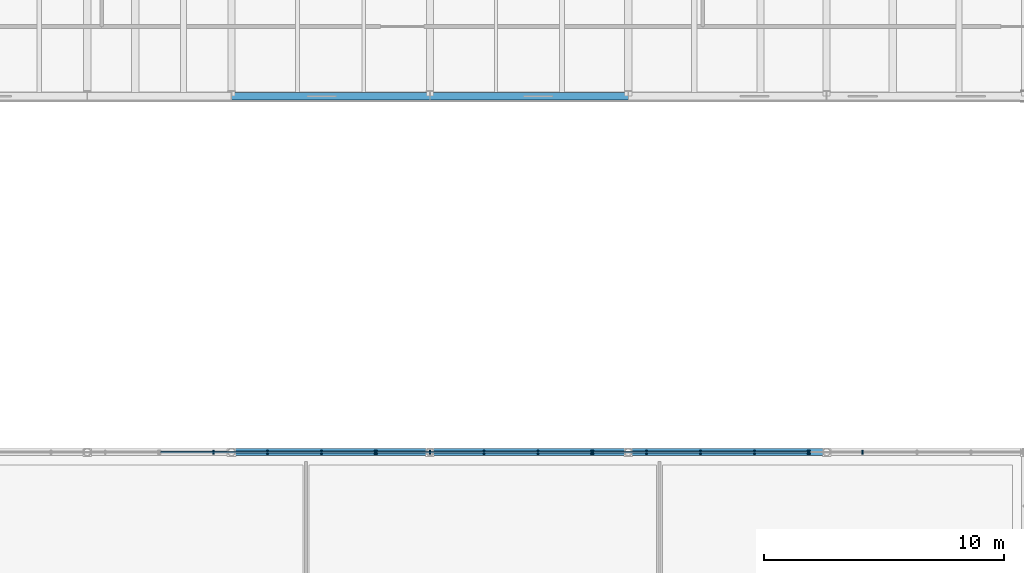
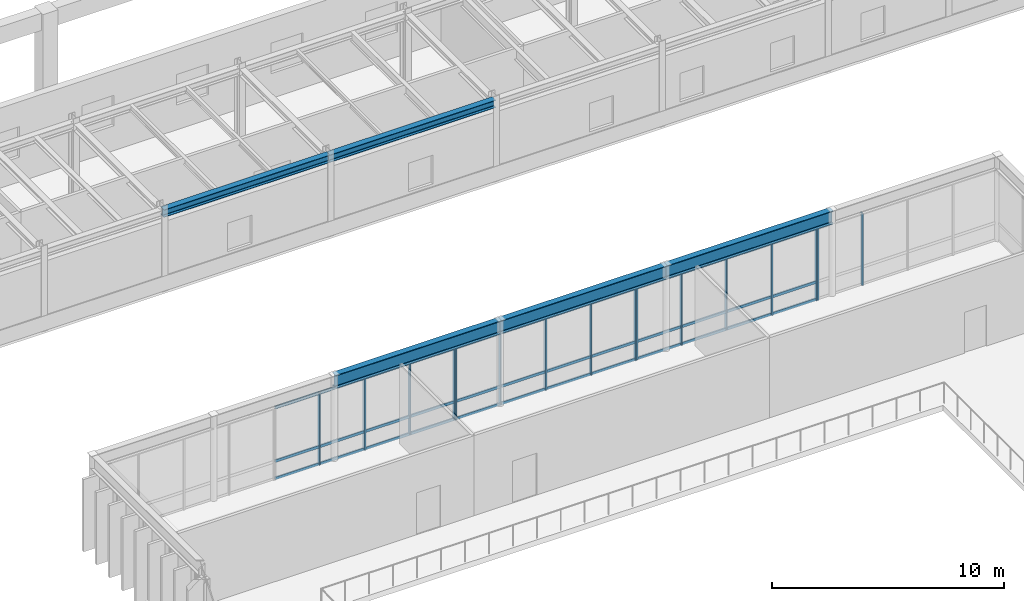
# One storey, part 28 of 64: 25 members, 5 beams, 4 elements without a shape of their own.
"""IFC4 building model written with IfcOpenShell, lengths in metres."""

from ifc_helpers import new_model, si_unit, direction, frame, origin, origin_2d, place, context, subcontext, project, spatial, rectangle, i_section, extrude, material, layer, layer_set, material_profile, profile_set, type_object, element, aggregate, save


model = new_model("IFC4")

# Units and contexts
model_context = context("Model", 3, precision=1e-05, world=origin(), true_north=direction((0.0, 1.0)))
body_context = subcontext(model_context, "Body", "Model", "MODEL_VIEW")
ifc_project = project(units=[si_unit("LENGTHUNIT", "METRE"), si_unit("AREAUNIT", "SQUARE_METRE"), si_unit("VOLUMEUNIT", "CUBIC_METRE"), si_unit("PLANEANGLEUNIT", "RADIAN"), si_unit("MASSUNIT", "GRAM", prefix="KILO")], contexts=[model_context])

# Site, building, storey
site_placement = place(None, origin())
site = spatial("IfcSite", under=ifc_project, at=site_placement, CompositionType="ELEMENT")
building_placement = place(site_placement, origin())
building = spatial("IfcBuilding", under=site, at=building_placement, Name="Montealbar Specialist Clinic", CompositionType="ELEMENT")
storey_placement = place(building_placement, frame((0.0, 0.0, 5.10009765625)))
storey = spatial("IfcBuildingStorey", under=building, at=storey_placement, Name="L01", CompositionType="ELEMENT", Elevation=5.10009765625)

# Beams
ifc_material_1 = material(Name="Steel S355", Category="steel")
ifc_material_profile_1 = material_profile(ifc_material_1, i_section(OverallWidth=0.300048828125, OverallDepth=0.39990234375, WebThickness=0.013427734375, FlangeThickness=0.02392578125, FilletRadius=0.027099609375, at=origin_2d()), Name="HEB 400", Category="steel")
ifc_profile_set_1 = profile_set([ifc_material_profile_1], Name="Steel S355")
beam_type_1 = type_object("IfcBeamType", Name="BM-GIRD-HEB400-EXT", PredefinedType="BEAM", material=ifc_profile_set_1)
for number, where, z_axis, x_axis, name in (
    (1, (66.0, 95.800048828125, 4.02978515625), (1.0, 0.0, 0.0), (0.0, 1.0, 0.0), "Beam GX-L01-660-742-958"),
    (2, (74.25, 95.800048828125, 4.02978515625), (1.0, 0.0, 0.0), (0.0, 1.0, 0.0), "Beam GX-L01-742-825-958"),
):
    element("IfcBeam", number, at=place(storey_placement, frame(where, z_axis=z_axis, x_axis=x_axis)), inside=storey, type_object=beam_type_1, Name=name, PredefinedType="BEAM", context=body_context, shape_type="SweptSolid", body=[
        extrude(i_section(OverallWidth=0.300048828125, OverallDepth=0.39990234375, WebThickness=0.013427734375, FlangeThickness=0.02392578125, FilletRadius=0.027099609375, at=origin_2d()), origin(), (0.0, 0.0, 1.0), 8.25),
    ])
ifc_material_profile_2 = material_profile(ifc_material_1, i_section(OverallWidth=0.300048828125, OverallDepth=0.699951171875, WebThickness=0.01708984375, FlangeThickness=0.031982421875, FilletRadius=0.027099609375, at=origin_2d()), Name="HEB 700", Category="steel")
ifc_profile_set_2 = profile_set([ifc_material_profile_2], Name="Steel S355")
beam_type_2 = type_object("IfcBeamType", Name="BM-RING-HEB700-EXT", PredefinedType="BEAM", material=ifc_profile_set_2)
for number, where, z_axis, x_axis, name in (
    (3, (66.0, 81.0, 4.14990234375), (1.0, 0.0, 0.0), (0.0, 1.0, 0.0), "Gridshell perimeter ring beam RB-01 X 66.0-74.2"),
    (4, (74.25, 81.0, 4.14990234375), (1.0, 0.0, 0.0), (0.0, 1.0, 0.0), "Gridshell perimeter ring beam RB-01 X 74.2-82.5"),
    (5, (82.5, 81.0, 4.14990234375), (1.0, 0.0, 0.0), (0.0, 1.0, 0.0), "Gridshell perimeter ring beam RB-01 X 82.5-90.8"),
):
    element("IfcBeam", number, at=place(storey_placement, frame(where, z_axis=z_axis, x_axis=x_axis)), inside=storey, type_object=beam_type_2, Name=name, PredefinedType="BEAM", context=body_context, shape_type="SweptSolid", body=[
        extrude(i_section(OverallWidth=0.300048828125, OverallDepth=0.699951171875, WebThickness=0.01708984375, FlangeThickness=0.031982421875, FilletRadius=0.027099609375, at=origin_2d()), origin(), (0.0, 0.0, 1.0), 8.25),
    ])

# Curtain wall, members
ifc_material_2 = material(Name="Low-E double glazing", Category="glass")
ifc_layer = layer(ifc_material_2, 0.199951171875, Name="Low-E double glazing", Category="glass")
ifc_layer_set = layer_set([ifc_layer], Name="Low-E double glazing")
curtain_wall_type = type_object("IfcCurtainWallType", Name="CW-TYPE-08", PredefinedType="NOTDEFINED", material=ifc_layer_set)
curtain_wall_1_placement = place(storey_placement, origin())
curtain_wall_1 = element("IfcCurtainWall", 6, at=curtain_wall_1_placement, inside=storey, type_object=curtain_wall_type, Name="Unitised Curtain Wall CW-L01-630-810-720-810-51", PredefinedType="NOTDEFINED")
ifc_material_3 = material(Name="Anodised aluminium EN AW-6063", Category="aluminium")
ifc_material_profile_3 = material_profile(ifc_material_3, rectangle(XDim=0.06005859375, YDim=0.159912109375, at=origin_2d()), Name="ALU 60x160", Category="aluminium")
ifc_profile_set_3 = profile_set([ifc_material_profile_3], Name="Anodised aluminium EN AW-6063")
member_type_1 = type_object("IfcMemberType", Name="CW-MUL-160", PredefinedType="MULLION", material=ifc_profile_set_3)
member_1_placement = place(storey_placement, frame((65.25, 81.0, 0.0), z_axis=(0.0, 0.0, 1.0), x_axis=(1.0, 0.0, 0.0)))
member_1 = element("IfcMember", 7, at=member_1_placement, type_object=member_type_1, Name="Curtain Wall Mullion CW-L01-630-810-720-810-51-01", PredefinedType="MULLION", context=body_context, shape_type="SweptSolid", body=[
    extrude(rectangle(XDim=0.06005859375, YDim=0.159912109375, at=origin_2d()), origin(), (0.0, 0.0, 1.0), 3.7998046875),
])
member_2_placement = place(storey_placement, frame((67.5, 81.0, 0.0), z_axis=(0.0, 0.0, 1.0), x_axis=(1.0, 0.0, 0.0)))
member_2 = element("IfcMember", 8, at=member_2_placement, type_object=member_type_1, Name="Curtain Wall Mullion CW-L01-630-810-720-810-51-02", PredefinedType="MULLION", context=body_context, shape_type="SweptSolid", body=[
    extrude(rectangle(XDim=0.06005859375, YDim=0.159912109375, at=origin_2d()), origin(), (0.0, 0.0, 1.0), 3.7998046875),
])
member_3_placement = place(storey_placement, frame((69.75, 81.0, 0.0), z_axis=(0.0, 0.0, 1.0), x_axis=(1.0, 0.0, 0.0)))
member_3 = element("IfcMember", 9, at=member_3_placement, type_object=member_type_1, Name="Curtain Wall Mullion CW-L01-630-810-720-810-51-03", PredefinedType="MULLION", context=body_context, shape_type="SweptSolid", body=[
    extrude(rectangle(XDim=0.06005859375, YDim=0.159912109375, at=origin_2d()), origin(), (0.0, 0.0, 1.0), 3.7998046875),
])
member_4_placement = place(storey_placement, frame((71.965087890625, 81.0, 0.0), z_axis=(0.0, 0.0, 1.0), x_axis=(1.0, 0.0, 0.0)))
member_4 = element("IfcMember", 10, at=member_4_placement, type_object=member_type_1, Name="Curtain Wall Mullion CW-L01-630-810-720-810-51-04", PredefinedType="MULLION", context=body_context, shape_type="SweptSolid", body=[
    extrude(rectangle(XDim=0.06005859375, YDim=0.159912109375, at=origin_2d()), origin(), (0.0, 0.0, 1.0), 3.7998046875),
])

curtain_wall_2_placement = place(storey_placement, origin())
curtain_wall_2 = element("IfcCurtainWall", 11, at=curtain_wall_2_placement, inside=storey, type_object=curtain_wall_type, Name="Unitised Curtain Wall CW-L01-720-810-810-810-51", PredefinedType="NOTDEFINED")
member_5_placement = place(storey_placement, frame((72.034912109375, 81.0, 0.0), z_axis=(0.0, 0.0, 1.0), x_axis=(1.0, 0.0, 0.0)))
member_5 = element("IfcMember", 12, at=member_5_placement, type_object=member_type_1, Name="Curtain Wall Mullion CW-L01-720-810-810-810-51-00", PredefinedType="MULLION", context=body_context, shape_type="SweptSolid", body=[
    extrude(rectangle(XDim=0.06005859375, YDim=0.159912109375, at=origin_2d()), origin(), (0.0, 0.0, 1.0), 3.7998046875),
])
member_6_placement = place(storey_placement, frame((74.25, 81.0, 0.0), z_axis=(0.0, 0.0, 1.0), x_axis=(1.0, 0.0, 0.0)))
member_6 = element("IfcMember", 13, at=member_6_placement, type_object=member_type_1, Name="Curtain Wall Mullion CW-L01-720-810-810-810-51-01", PredefinedType="MULLION", context=body_context, shape_type="SweptSolid", body=[
    extrude(rectangle(XDim=0.06005859375, YDim=0.159912109375, at=origin_2d()), origin(), (0.0, 0.0, 1.0), 3.7998046875),
])
member_7_placement = place(storey_placement, frame((76.5, 81.0, 0.0), z_axis=(0.0, 0.0, 1.0), x_axis=(1.0, 0.0, 0.0)))
member_7 = element("IfcMember", 14, at=member_7_placement, type_object=member_type_1, Name="Curtain Wall Mullion CW-L01-720-810-810-810-51-02", PredefinedType="MULLION", context=body_context, shape_type="SweptSolid", body=[
    extrude(rectangle(XDim=0.06005859375, YDim=0.159912109375, at=origin_2d()), origin(), (0.0, 0.0, 1.0), 3.7998046875),
])
member_8_placement = place(storey_placement, frame((78.75, 81.0, 0.0), z_axis=(0.0, 0.0, 1.0), x_axis=(1.0, 0.0, 0.0)))
member_8 = element("IfcMember", 15, at=member_8_placement, type_object=member_type_1, Name="Curtain Wall Mullion CW-L01-720-810-810-810-51-03", PredefinedType="MULLION", context=body_context, shape_type="SweptSolid", body=[
    extrude(rectangle(XDim=0.06005859375, YDim=0.159912109375, at=origin_2d()), origin(), (0.0, 0.0, 1.0), 3.7998046875),
])
member_9_placement = place(storey_placement, frame((80.965087890625, 81.0, 0.0), z_axis=(0.0, 0.0, 1.0), x_axis=(1.0, 0.0, 0.0)))
member_9 = element("IfcMember", 16, at=member_9_placement, type_object=member_type_1, Name="Curtain Wall Mullion CW-L01-720-810-810-810-51-04", PredefinedType="MULLION", context=body_context, shape_type="SweptSolid", body=[
    extrude(rectangle(XDim=0.06005859375, YDim=0.159912109375, at=origin_2d()), origin(), (0.0, 0.0, 1.0), 3.7998046875),
])

curtain_wall_3_placement = place(storey_placement, origin())
curtain_wall_3 = element("IfcCurtainWall", 17, at=curtain_wall_3_placement, inside=storey, type_object=curtain_wall_type, Name="Unitised Curtain Wall CW-L01-810-810-900-810-51", PredefinedType="NOTDEFINED")
member_10_placement = place(storey_placement, frame((81.034912109375, 81.0, 0.0), z_axis=(0.0, 0.0, 1.0), x_axis=(1.0, 0.0, 0.0)))
member_10 = element("IfcMember", 18, at=member_10_placement, type_object=member_type_1, Name="Curtain Wall Mullion CW-L01-810-810-900-810-51-00", PredefinedType="MULLION", context=body_context, shape_type="SweptSolid", body=[
    extrude(rectangle(XDim=0.06005859375, YDim=0.159912109375, at=origin_2d()), origin(), (0.0, 0.0, 1.0), 3.7998046875),
])
member_11_placement = place(storey_placement, frame((83.25, 81.0, 0.0), z_axis=(0.0, 0.0, 1.0), x_axis=(1.0, 0.0, 0.0)))
member_11 = element("IfcMember", 19, at=member_11_placement, type_object=member_type_1, Name="Curtain Wall Mullion CW-L01-810-810-900-810-51-01", PredefinedType="MULLION", context=body_context, shape_type="SweptSolid", body=[
    extrude(rectangle(XDim=0.06005859375, YDim=0.159912109375, at=origin_2d()), origin(), (0.0, 0.0, 1.0), 3.7998046875),
])
member_12_placement = place(storey_placement, frame((85.5, 81.0, 0.0), z_axis=(0.0, 0.0, 1.0), x_axis=(1.0, 0.0, 0.0)))
member_12 = element("IfcMember", 20, at=member_12_placement, type_object=member_type_1, Name="Curtain Wall Mullion CW-L01-810-810-900-810-51-02", PredefinedType="MULLION", context=body_context, shape_type="SweptSolid", body=[
    extrude(rectangle(XDim=0.06005859375, YDim=0.159912109375, at=origin_2d()), origin(), (0.0, 0.0, 1.0), 3.7998046875),
])
member_13_placement = place(storey_placement, frame((87.75, 81.0, 0.0), z_axis=(0.0, 0.0, 1.0), x_axis=(1.0, 0.0, 0.0)))
member_13 = element("IfcMember", 21, at=member_13_placement, type_object=member_type_1, Name="Curtain Wall Mullion CW-L01-810-810-900-810-51-03", PredefinedType="MULLION", context=body_context, shape_type="SweptSolid", body=[
    extrude(rectangle(XDim=0.06005859375, YDim=0.159912109375, at=origin_2d()), origin(), (0.0, 0.0, 1.0), 3.7998046875),
])
member_14_placement = place(storey_placement, frame((89.965087890625, 81.0, 0.0), z_axis=(0.0, 0.0, 1.0), x_axis=(1.0, 0.0, 0.0)))
member_14 = element("IfcMember", 22, at=member_14_placement, type_object=member_type_1, Name="Curtain Wall Mullion CW-L01-810-810-900-810-51-04", PredefinedType="MULLION", context=body_context, shape_type="SweptSolid", body=[
    extrude(rectangle(XDim=0.06005859375, YDim=0.159912109375, at=origin_2d()), origin(), (0.0, 0.0, 1.0), 3.7998046875),
])

curtain_wall_4_placement = place(storey_placement, origin())
curtain_wall_4 = element("IfcCurtainWall", 23, at=curtain_wall_4_placement, inside=storey, type_object=curtain_wall_type, Name="Unitised Curtain Wall CW-L01-900-810-990-810-51", PredefinedType="NOTDEFINED")
member_15_placement = place(storey_placement, frame((90.034912109375, 81.0, 0.0), z_axis=(0.0, 0.0, 1.0), x_axis=(1.0, 0.0, 0.0)))
member_15 = element("IfcMember", 24, at=member_15_placement, type_object=member_type_1, Name="Curtain Wall Mullion CW-L01-900-810-990-810-51-00", PredefinedType="MULLION", context=body_context, shape_type="SweptSolid", body=[
    extrude(rectangle(XDim=0.06005859375, YDim=0.159912109375, at=origin_2d()), origin(), (0.0, 0.0, 1.0), 3.7998046875),
])
member_16_placement = place(storey_placement, frame((92.25, 81.0, 0.0), z_axis=(0.0, 0.0, 1.0), x_axis=(1.0, 0.0, 0.0)))
member_16 = element("IfcMember", 25, at=member_16_placement, type_object=member_type_1, Name="Curtain Wall Mullion CW-L01-900-810-990-810-51-01", PredefinedType="MULLION", context=body_context, shape_type="SweptSolid", body=[
    extrude(rectangle(XDim=0.06005859375, YDim=0.159912109375, at=origin_2d()), origin(), (0.0, 0.0, 1.0), 3.7998046875),
])
aggregate(curtain_wall_4, [member_15, member_16])

# Member
ifc_material_4 = material(Name="Powder-coated aluminium", Category="aluminium")
ifc_material_profile_4 = material_profile(ifc_material_4, rectangle(XDim=0.070068359375, YDim=0.139892578125, at=origin_2d()), Name="ALU 70x140", Category="aluminium")
ifc_profile_set_4 = profile_set([ifc_material_profile_4], Name="Powder-coated aluminium")
member_type_2 = type_object("IfcMemberType", Name="CW-TRN-140", PredefinedType="USERDEFINED", material=ifc_profile_set_4)
member_17_placement = place(storey_placement, frame((63.050048828125, 81.0, 0.039794921875), z_axis=(1.0, 0.0, 0.0), x_axis=(0.0, 1.0, 0.0)))
member_17 = element("IfcMember", 26, at=member_17_placement, type_object=member_type_2, Name="Curtain Wall Transom CW-L01-630-810-720-810-51-00", ObjectType="TRANSOM", PredefinedType="USERDEFINED", context=body_context, shape_type="SweptSolid", body=[
    extrude(rectangle(XDim=0.070068359375, YDim=0.139892578125, at=origin_2d()), origin(), (0.0, 0.0, 1.0), 8.89990234375),
])

member_18_placement = place(storey_placement, frame((63.050048828125, 81.0, 0.949951171875), z_axis=(1.0, 0.0, 0.0), x_axis=(0.0, 1.0, 0.0)))
member_18 = element("IfcMember", 27, at=member_18_placement, type_object=member_type_2, Name="Curtain Wall Transom CW-L01-630-810-720-810-51-01", ObjectType="TRANSOM", PredefinedType="USERDEFINED", context=body_context, shape_type="SweptSolid", body=[
    extrude(rectangle(XDim=0.070068359375, YDim=0.139892578125, at=origin_2d()), origin(), (0.0, 0.0, 1.0), 8.89990234375),
])

member_19_placement = place(storey_placement, frame((63.050048828125, 81.0, 3.760009765625), z_axis=(1.0, 0.0, 0.0), x_axis=(0.0, 1.0, 0.0)))
member_19 = element("IfcMember", 28, at=member_19_placement, type_object=member_type_2, Name="Curtain Wall Transom CW-L01-630-810-720-810-51-02", ObjectType="TRANSOM", PredefinedType="USERDEFINED", context=body_context, shape_type="SweptSolid", body=[
    extrude(rectangle(XDim=0.070068359375, YDim=0.139892578125, at=origin_2d()), origin(), (0.0, 0.0, 1.0), 8.89990234375),
])

aggregate(curtain_wall_1, [member_1, member_2, member_3, member_4, member_17, member_18, member_19])

member_20_placement = place(storey_placement, frame((72.050048828125, 81.0, 0.039794921875), z_axis=(1.0, 0.0, 0.0), x_axis=(0.0, 1.0, 0.0)))
member_20 = element("IfcMember", 29, at=member_20_placement, type_object=member_type_2, Name="Curtain Wall Transom CW-L01-720-810-810-810-51-00", ObjectType="TRANSOM", PredefinedType="USERDEFINED", context=body_context, shape_type="SweptSolid", body=[
    extrude(rectangle(XDim=0.070068359375, YDim=0.139892578125, at=origin_2d()), origin(), (0.0, 0.0, 1.0), 8.89990234375),
])

member_21_placement = place(storey_placement, frame((72.050048828125, 81.0, 0.949951171875), z_axis=(1.0, 0.0, 0.0), x_axis=(0.0, 1.0, 0.0)))
member_21 = element("IfcMember", 30, at=member_21_placement, type_object=member_type_2, Name="Curtain Wall Transom CW-L01-720-810-810-810-51-01", ObjectType="TRANSOM", PredefinedType="USERDEFINED", context=body_context, shape_type="SweptSolid", body=[
    extrude(rectangle(XDim=0.070068359375, YDim=0.139892578125, at=origin_2d()), origin(), (0.0, 0.0, 1.0), 8.89990234375),
])

member_22_placement = place(storey_placement, frame((72.050048828125, 81.0, 3.760009765625), z_axis=(1.0, 0.0, 0.0), x_axis=(0.0, 1.0, 0.0)))
member_22 = element("IfcMember", 31, at=member_22_placement, type_object=member_type_2, Name="Curtain Wall Transom CW-L01-720-810-810-810-51-02", ObjectType="TRANSOM", PredefinedType="USERDEFINED", context=body_context, shape_type="SweptSolid", body=[
    extrude(rectangle(XDim=0.070068359375, YDim=0.139892578125, at=origin_2d()), origin(), (0.0, 0.0, 1.0), 8.89990234375),
])

aggregate(curtain_wall_2, [member_5, member_6, member_7, member_8, member_9, member_20, member_21, member_22])

member_23_placement = place(storey_placement, frame((81.050048828125, 81.0, 0.039794921875), z_axis=(1.0, 0.0, 0.0), x_axis=(0.0, 1.0, 0.0)))
member_23 = element("IfcMember", 32, at=member_23_placement, type_object=member_type_2, Name="Curtain Wall Transom CW-L01-810-810-900-810-51-00", ObjectType="TRANSOM", PredefinedType="USERDEFINED", context=body_context, shape_type="SweptSolid", body=[
    extrude(rectangle(XDim=0.070068359375, YDim=0.139892578125, at=origin_2d()), origin(), (0.0, 0.0, 1.0), 8.89990234375),
])

member_24_placement = place(storey_placement, frame((81.050048828125, 81.0, 0.949951171875), z_axis=(1.0, 0.0, 0.0), x_axis=(0.0, 1.0, 0.0)))
member_24 = element("IfcMember", 33, at=member_24_placement, type_object=member_type_2, Name="Curtain Wall Transom CW-L01-810-810-900-810-51-01", ObjectType="TRANSOM", PredefinedType="USERDEFINED", context=body_context, shape_type="SweptSolid", body=[
    extrude(rectangle(XDim=0.070068359375, YDim=0.139892578125, at=origin_2d()), origin(), (0.0, 0.0, 1.0), 8.89990234375),
])

member_25_placement = place(storey_placement, frame((81.050048828125, 81.0, 3.760009765625), z_axis=(1.0, 0.0, 0.0), x_axis=(0.0, 1.0, 0.0)))
member_25 = element("IfcMember", 34, at=member_25_placement, type_object=member_type_2, Name="Curtain Wall Transom CW-L01-810-810-900-810-51-02", ObjectType="TRANSOM", PredefinedType="USERDEFINED", context=body_context, shape_type="SweptSolid", body=[
    extrude(rectangle(XDim=0.070068359375, YDim=0.139892578125, at=origin_2d()), origin(), (0.0, 0.0, 1.0), 8.89990234375),
])

aggregate(curtain_wall_3, [member_10, member_11, member_12, member_13, member_14, member_23, member_24, member_25])

save(model, "model.ifc")
